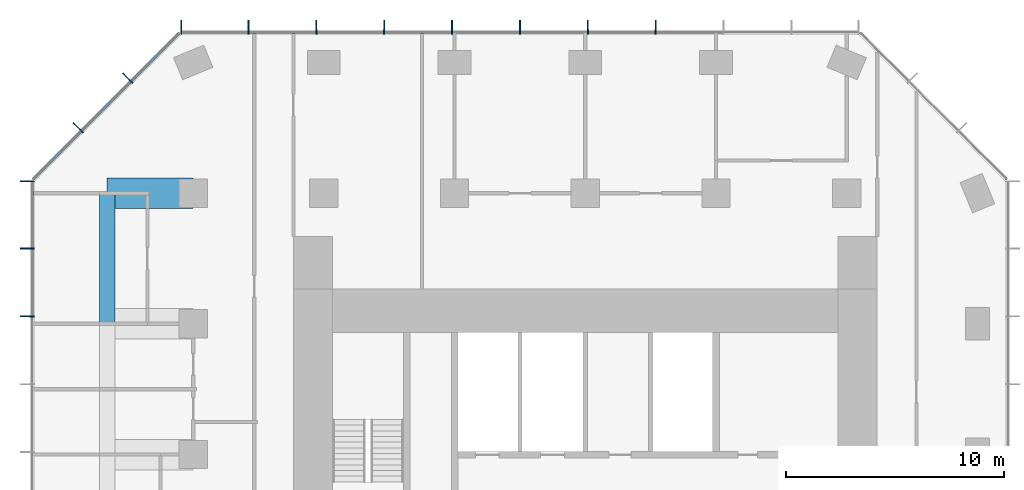
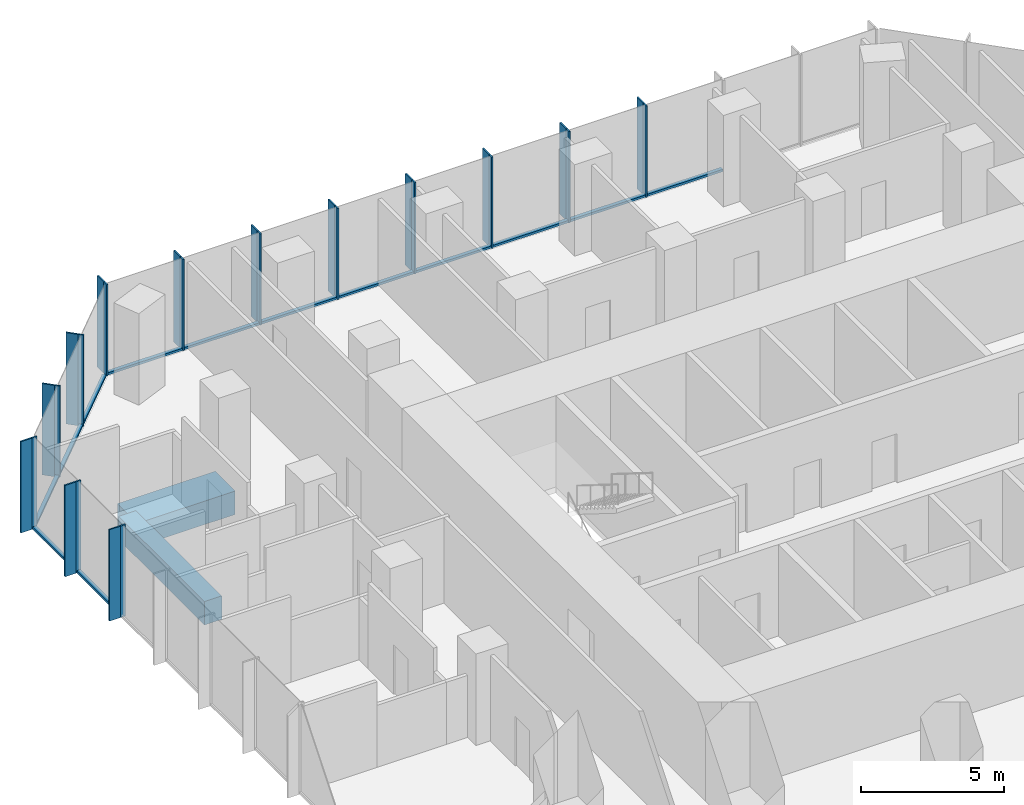
# One storey, part 5 of 11: 39 members, 2 beams, 3 elements without a shape of their own.
"""IFC4 building model written with IfcOpenShell, lengths in metres."""

from ifc_helpers import new_model, si_unit, direction, frame, origin, origin_2d, place, context, subcontext, project, spatial, rectangle, extrude, material, layer, layer_set, material_profile, profile_set, type_object, element, aggregate, save


model = new_model("IFC4")

# Units and contexts
model_context = context("Model", 3, precision=1e-05, world=origin(), true_north=direction((0.0, 1.0)))
body_context = subcontext(model_context, "Body", "Model", "MODEL_VIEW")
ifc_project = project(units=[si_unit("LENGTHUNIT", "METRE"), si_unit("AREAUNIT", "SQUARE_METRE"), si_unit("VOLUMEUNIT", "CUBIC_METRE"), si_unit("PLANEANGLEUNIT", "RADIAN"), si_unit("MASSUNIT", "GRAM", prefix="KILO")], contexts=[model_context])

# Site, building, storey
site_placement = place(None, origin())
site = spatial("IfcSite", under=ifc_project, at=site_placement, CompositionType="ELEMENT")
building_placement = place(site_placement, origin())
building = spatial("IfcBuilding", under=site, at=building_placement, Name="Highveld Stack Headquarters", CompositionType="ELEMENT")
storey_placement = place(building_placement, frame((0.0, 0.0, 220.10009765625)))
storey = spatial("IfcBuildingStorey", under=building, at=storey_placement, Name="L54", CompositionType="ELEMENT", Elevation=220.10009765625)

# Beam
ifc_material_1 = material(Name="Concrete C60/75", Category="concrete")
ifc_material_profile_1 = material_profile(ifc_material_1, rectangle(XDim=1.39990234375, YDim=1.0, at=origin_2d()), Name="RC 1400x1000")
ifc_profile_set_1 = profile_set([ifc_material_profile_1], Name="Concrete C60/75")
beam_type_1 = type_object("IfcBeamType", Name="CANTILEVER RIB RC 1400x1000", PredefinedType="USERDEFINED", material=ifc_profile_set_1)
beam_1_placement = place(storey_placement, frame((-12.0, 18.0, -0.75), z_axis=(-1.0, 0.0, 0.0), x_axis=(0.0, -1.0, 0.0)))
element("IfcBeam", 1, at=beam_1_placement, inside=storey, type_object=beam_type_1, Name="Cantilever rib 4/H L54", ObjectType="CANTILEVER RIB", PredefinedType="USERDEFINED", context=body_context, shape_type="SweptSolid", body=[
    extrude(rectangle(XDim=1.39990234375, YDim=1.0, at=origin_2d()), origin(), (0.0, 0.0, 1.0), 3.949951171875),
])

# Curtain wall, members
ifc_material_2 = material(Name="Aluminium bronze anodised", Category="aluminium")
ifc_layer_1 = layer(ifc_material_2, 0.199951171875)
ifc_layer_set_1 = layer_set([ifc_layer_1], Name="Aluminium bronze anodised")
curtain_wall_type_1 = type_object("IfcCurtainWallType", Name="CW1 TOWER UNITISED CURTAIN WALL", PredefinedType="NOTDEFINED", material=ifc_layer_set_1)
curtain_wall_1_placement = place(storey_placement, origin())
curtain_wall_1 = element("IfcCurtainWall", 2, at=curtain_wall_1_placement, inside=storey, type_object=curtain_wall_type_1, Name="Curtain wall CW1 L54 N", PredefinedType="NOTDEFINED")
ifc_material_3 = material(Name="Aluminium bronze anodised", Category="aluminium")
ifc_material_profile_2 = material_profile(ifc_material_3, rectangle(XDim=0.449951171875, YDim=0.06005859375, at=origin_2d()), Name="FIN 450x60")
ifc_profile_set_2 = profile_set([ifc_material_profile_2], Name="Aluminium bronze anodised")
member_type_1 = type_object("IfcMemberType", Name="CW1 BRONZE FIN 450x60", PredefinedType="USERDEFINED", material=ifc_profile_set_2)
member_1_placement = place(storey_placement, frame((9.23193359375, 25.72509765625, 0.0), z_axis=(0.0, 0.0, 1.0), x_axis=(0.0, -1.0, 0.0)))
member_1 = element("IfcMember", 3, at=member_1_placement, type_object=member_type_1, Name="CW1 fin L54 4", ObjectType="FIN", PredefinedType="USERDEFINED", context=body_context, shape_type="SweptSolid", body=[
    extrude(rectangle(XDim=0.449951171875, YDim=0.06005859375, at=origin_2d()), origin(), (0.0, 0.0, 1.0), 3.89990234375),
])
member_2_placement = place(storey_placement, frame((6.115966796875, 25.72509765625, 0.0), z_axis=(0.0, 0.0, 1.0), x_axis=(0.0, -1.0, 0.0)))
member_2 = element("IfcMember", 4, at=member_2_placement, type_object=member_type_1, Name="CW1 fin L54 5", ObjectType="FIN", PredefinedType="USERDEFINED", context=body_context, shape_type="SweptSolid", body=[
    extrude(rectangle(XDim=0.449951171875, YDim=0.06005859375, at=origin_2d()), origin(), (0.0, 0.0, 1.0), 3.89990234375),
])
member_3_placement = place(storey_placement, frame((3.0, 25.72509765625, 0.0), z_axis=(0.0, 0.0, 1.0), x_axis=(0.0, -1.0, 0.0)))
member_3 = element("IfcMember", 5, at=member_3_placement, type_object=member_type_1, Name="CW1 fin L54 6", ObjectType="FIN", PredefinedType="USERDEFINED", context=body_context, shape_type="SweptSolid", body=[
    extrude(rectangle(XDim=0.449951171875, YDim=0.06005859375, at=origin_2d()), origin(), (0.0, 0.0, 1.0), 3.89990234375),
])
member_4_placement = place(storey_placement, frame((-0.115966796875, 25.72509765625, 0.0), z_axis=(0.0, 0.0, 1.0), x_axis=(0.0, -1.0, 0.0)))
member_4 = element("IfcMember", 6, at=member_4_placement, type_object=member_type_1, Name="CW1 fin L54 7", ObjectType="FIN", PredefinedType="USERDEFINED", context=body_context, shape_type="SweptSolid", body=[
    extrude(rectangle(XDim=0.449951171875, YDim=0.06005859375, at=origin_2d()), origin(), (0.0, 0.0, 1.0), 3.89990234375),
])
member_5_placement = place(storey_placement, frame((-3.23193359375, 25.72509765625, 0.0), z_axis=(0.0, 0.0, 1.0), x_axis=(0.0, -1.0, 0.0)))
member_5 = element("IfcMember", 7, at=member_5_placement, type_object=member_type_1, Name="CW1 fin L54 8", ObjectType="FIN", PredefinedType="USERDEFINED", context=body_context, shape_type="SweptSolid", body=[
    extrude(rectangle(XDim=0.449951171875, YDim=0.06005859375, at=origin_2d()), origin(), (0.0, 0.0, 1.0), 3.89990234375),
])
member_6_placement = place(storey_placement, frame((-6.347900390625, 25.72509765625, 0.0), z_axis=(0.0, 0.0, 1.0), x_axis=(0.0, -1.0, 0.0)))
member_6 = element("IfcMember", 8, at=member_6_placement, type_object=member_type_1, Name="CW1 fin L54 9", ObjectType="FIN", PredefinedType="USERDEFINED", context=body_context, shape_type="SweptSolid", body=[
    extrude(rectangle(XDim=0.449951171875, YDim=0.06005859375, at=origin_2d()), origin(), (0.0, 0.0, 1.0), 3.89990234375),
])
member_7_placement = place(storey_placement, frame((-9.4638671875, 25.72509765625, 0.0), z_axis=(0.0, 0.0, 1.0), x_axis=(0.0, -1.0, 0.0)))
member_7 = element("IfcMember", 9, at=member_7_placement, type_object=member_type_1, Name="CW1 fin L54 10", ObjectType="FIN", PredefinedType="USERDEFINED", context=body_context, shape_type="SweptSolid", body=[
    extrude(rectangle(XDim=0.449951171875, YDim=0.06005859375, at=origin_2d()), origin(), (0.0, 0.0, 1.0), 3.89990234375),
])
member_8_placement = place(storey_placement, frame((-12.54736328125, 25.72509765625, 0.0), z_axis=(0.0, 0.0, 1.0), x_axis=(0.0, -1.0, 0.0)))
member_8 = element("IfcMember", 10, at=member_8_placement, type_object=member_type_1, Name="CW1 fin L54 11", ObjectType="FIN", PredefinedType="USERDEFINED", context=body_context, shape_type="SweptSolid", body=[
    extrude(rectangle(XDim=0.449951171875, YDim=0.06005859375, at=origin_2d()), origin(), (0.0, 0.0, 1.0), 3.89990234375),
])

curtain_wall_2_placement = place(storey_placement, origin())
curtain_wall_2 = element("IfcCurtainWall", 11, at=curtain_wall_2_placement, inside=storey, type_object=curtain_wall_type_1, Name="Curtain wall CW1 L54 W", PredefinedType="NOTDEFINED")
member_9_placement = place(storey_placement, frame((-19.72509765625, 18.54736328125, 0.0), z_axis=(0.0, 0.0, 1.0), x_axis=(1.0, 0.0, 0.0)))
member_9 = element("IfcMember", 12, at=member_9_placement, type_object=member_type_1, Name="CW1 fin L54 1", ObjectType="FIN", PredefinedType="USERDEFINED", context=body_context, shape_type="SweptSolid", body=[
    extrude(rectangle(XDim=0.449951171875, YDim=0.06005859375, at=origin_2d()), origin(), (0.0, 0.0, 1.0), 3.89990234375),
])
member_10_placement = place(storey_placement, frame((-19.72509765625, 15.4638671875, 0.0), z_axis=(0.0, 0.0, 1.0), x_axis=(1.0, 0.0, 0.0)))
member_10 = element("IfcMember", 13, at=member_10_placement, type_object=member_type_1, Name="CW1 fin L54 2", ObjectType="FIN", PredefinedType="USERDEFINED", context=body_context, shape_type="SweptSolid", body=[
    extrude(rectangle(XDim=0.449951171875, YDim=0.06005859375, at=origin_2d()), origin(), (0.0, 0.0, 1.0), 3.89990234375),
])
member_11_placement = place(storey_placement, frame((-19.72509765625, 12.347900390625, 0.0), z_axis=(0.0, 0.0, 1.0), x_axis=(1.0, 0.0, 0.0)))
member_11 = element("IfcMember", 14, at=member_11_placement, type_object=member_type_1, Name="CW1 fin L54 3", ObjectType="FIN", PredefinedType="USERDEFINED", context=body_context, shape_type="SweptSolid", body=[
    extrude(rectangle(XDim=0.449951171875, YDim=0.06005859375, at=origin_2d()), origin(), (0.0, 0.0, 1.0), 3.89990234375),
])

# Member
ifc_material_4 = material(Name="Aluminium bronze anodised", Category="aluminium")
ifc_material_profile_3 = material_profile(ifc_material_4, rectangle(XDim=0.199951171875, YDim=0.06494140625, at=origin_2d()), Name="CW1 MULLION 65x200")
ifc_profile_set_3 = profile_set([ifc_material_profile_3], Name="Aluminium bronze anodised")
member_type_2 = type_object("IfcMemberType", Name="CW1 MULLION 65x200", PredefinedType="MULLION", material=ifc_profile_set_3)
member_12_placement = place(storey_placement, frame((9.23193359375, 25.39990234375, 0.0), z_axis=(0.0, 0.0, 1.0), x_axis=(0.0, -1.0, 0.0)))
member_12 = element("IfcMember", 15, at=member_12_placement, type_object=member_type_2, Name="CW1 mullion L54 4", PredefinedType="MULLION", context=body_context, shape_type="SweptSolid", body=[
    extrude(rectangle(XDim=0.199951171875, YDim=0.06494140625, at=origin_2d()), origin(), (0.0, 0.0, 1.0), 3.89990234375),
])

member_13_placement = place(storey_placement, frame((6.115966796875, 25.39990234375, 0.0), z_axis=(0.0, 0.0, 1.0), x_axis=(0.0, -1.0, 0.0)))
member_13 = element("IfcMember", 16, at=member_13_placement, type_object=member_type_2, Name="CW1 mullion L54 5", PredefinedType="MULLION", context=body_context, shape_type="SweptSolid", body=[
    extrude(rectangle(XDim=0.199951171875, YDim=0.06494140625, at=origin_2d()), origin(), (0.0, 0.0, 1.0), 3.89990234375),
])

member_14_placement = place(storey_placement, frame((3.0, 25.39990234375, 0.0), z_axis=(0.0, 0.0, 1.0), x_axis=(0.0, -1.0, 0.0)))
member_14 = element("IfcMember", 17, at=member_14_placement, type_object=member_type_2, Name="CW1 mullion L54 6", PredefinedType="MULLION", context=body_context, shape_type="SweptSolid", body=[
    extrude(rectangle(XDim=0.199951171875, YDim=0.06494140625, at=origin_2d()), origin(), (0.0, 0.0, 1.0), 3.89990234375),
])

member_15_placement = place(storey_placement, frame((-0.115966796875, 25.39990234375, 0.0), z_axis=(0.0, 0.0, 1.0), x_axis=(0.0, -1.0, 0.0)))
member_15 = element("IfcMember", 18, at=member_15_placement, type_object=member_type_2, Name="CW1 mullion L54 7", PredefinedType="MULLION", context=body_context, shape_type="SweptSolid", body=[
    extrude(rectangle(XDim=0.199951171875, YDim=0.06494140625, at=origin_2d()), origin(), (0.0, 0.0, 1.0), 3.89990234375),
])

member_16_placement = place(storey_placement, frame((-3.23193359375, 25.39990234375, 0.0), z_axis=(0.0, 0.0, 1.0), x_axis=(0.0, -1.0, 0.0)))
member_16 = element("IfcMember", 19, at=member_16_placement, type_object=member_type_2, Name="CW1 mullion L54 8", PredefinedType="MULLION", context=body_context, shape_type="SweptSolid", body=[
    extrude(rectangle(XDim=0.199951171875, YDim=0.06494140625, at=origin_2d()), origin(), (0.0, 0.0, 1.0), 3.89990234375),
])

member_17_placement = place(storey_placement, frame((-6.347900390625, 25.39990234375, 0.0), z_axis=(0.0, 0.0, 1.0), x_axis=(0.0, -1.0, 0.0)))
member_17 = element("IfcMember", 20, at=member_17_placement, type_object=member_type_2, Name="CW1 mullion L54 9", PredefinedType="MULLION", context=body_context, shape_type="SweptSolid", body=[
    extrude(rectangle(XDim=0.199951171875, YDim=0.06494140625, at=origin_2d()), origin(), (0.0, 0.0, 1.0), 3.89990234375),
])

member_18_placement = place(storey_placement, frame((-9.4638671875, 25.39990234375, 0.0), z_axis=(0.0, 0.0, 1.0), x_axis=(0.0, -1.0, 0.0)))
member_18 = element("IfcMember", 21, at=member_18_placement, type_object=member_type_2, Name="CW1 mullion L54 10", PredefinedType="MULLION", context=body_context, shape_type="SweptSolid", body=[
    extrude(rectangle(XDim=0.199951171875, YDim=0.06494140625, at=origin_2d()), origin(), (0.0, 0.0, 1.0), 3.89990234375),
])

member_19_placement = place(storey_placement, frame((-12.54736328125, 25.39990234375, 0.0), z_axis=(0.0, 0.0, 1.0), x_axis=(0.0, -1.0, 0.0)))
member_19 = element("IfcMember", 22, at=member_19_placement, type_object=member_type_2, Name="CW1 mullion L54 11", PredefinedType="MULLION", context=body_context, shape_type="SweptSolid", body=[
    extrude(rectangle(XDim=0.199951171875, YDim=0.06494140625, at=origin_2d()), origin(), (0.0, 0.0, 1.0), 3.89990234375),
])

member_20_placement = place(storey_placement, frame((-19.39990234375, 18.54736328125, 0.0), z_axis=(0.0, 0.0, 1.0), x_axis=(1.0, 0.0, 0.0)))
member_20 = element("IfcMember", 23, at=member_20_placement, type_object=member_type_2, Name="CW1 mullion L54 1", PredefinedType="MULLION", context=body_context, shape_type="SweptSolid", body=[
    extrude(rectangle(XDim=0.199951171875, YDim=0.06494140625, at=origin_2d()), origin(), (0.0, 0.0, 1.0), 3.89990234375),
])

member_21_placement = place(storey_placement, frame((-19.39990234375, 15.4638671875, 0.0), z_axis=(0.0, 0.0, 1.0), x_axis=(1.0, 0.0, 0.0)))
member_21 = element("IfcMember", 24, at=member_21_placement, type_object=member_type_2, Name="CW1 mullion L54 2", PredefinedType="MULLION", context=body_context, shape_type="SweptSolid", body=[
    extrude(rectangle(XDim=0.199951171875, YDim=0.06494140625, at=origin_2d()), origin(), (0.0, 0.0, 1.0), 3.89990234375),
])

member_22_placement = place(storey_placement, frame((-19.39990234375, 12.347900390625, 0.0), z_axis=(0.0, 0.0, 1.0), x_axis=(1.0, 0.0, 0.0)))
member_22 = element("IfcMember", 25, at=member_22_placement, type_object=member_type_2, Name="CW1 mullion L54 3", PredefinedType="MULLION", context=body_context, shape_type="SweptSolid", body=[
    extrude(rectangle(XDim=0.199951171875, YDim=0.06494140625, at=origin_2d()), origin(), (0.0, 0.0, 1.0), 3.89990234375),
])

ifc_material_5 = material(Name="Aluminium bronze anodised", Category="aluminium")
ifc_material_profile_4 = material_profile(ifc_material_5, rectangle(XDim=0.14990234375, YDim=0.10009765625, at=origin_2d()), Name="CW1 TRANSOM 150x100")
ifc_profile_set_4 = profile_set([ifc_material_profile_4], Name="Aluminium bronze anodised")
member_type_3 = type_object("IfcMemberType", Name="CW1 STACK TRANSOM 150x100", PredefinedType="USERDEFINED", material=ifc_profile_set_4)
member_23_placement = place(storey_placement, frame((12.3154296875, 25.39990234375, 0.0498046875), z_axis=(-1.0, 0.0, 0.0), x_axis=(0.0, -1.0, 0.0)))
member_23 = element("IfcMember", 26, at=member_23_placement, type_object=member_type_3, Name="CW1 transom L54 3.1", ObjectType="TRANSOM", PredefinedType="USERDEFINED", context=body_context, shape_type="SweptSolid", body=[
    extrude(rectangle(XDim=0.14990234375, YDim=0.10009765625, at=origin_2d()), origin(), (0.0, 0.0, 1.0), 3.051025390625),
])

member_24_placement = place(storey_placement, frame((9.199462890625, 25.39990234375, 0.0498046875), z_axis=(-1.0, 0.0, 0.0), x_axis=(0.0, -1.0, 0.0)))
member_24 = element("IfcMember", 27, at=member_24_placement, type_object=member_type_3, Name="CW1 transom L54 4.1", ObjectType="TRANSOM", PredefinedType="USERDEFINED", context=body_context, shape_type="SweptSolid", body=[
    extrude(rectangle(XDim=0.14990234375, YDim=0.10009765625, at=origin_2d()), origin(), (0.0, 0.0, 1.0), 3.051025390625),
])

member_25_placement = place(storey_placement, frame((6.08349609375, 25.39990234375, 0.0498046875), z_axis=(-1.0, 0.0, 0.0), x_axis=(0.0, -1.0, 0.0)))
member_25 = element("IfcMember", 28, at=member_25_placement, type_object=member_type_3, Name="CW1 transom L54 5.1", ObjectType="TRANSOM", PredefinedType="USERDEFINED", context=body_context, shape_type="SweptSolid", body=[
    extrude(rectangle(XDim=0.14990234375, YDim=0.10009765625, at=origin_2d()), origin(), (0.0, 0.0, 1.0), 3.051025390625),
])

member_26_placement = place(storey_placement, frame((2.967529296875, 25.39990234375, 0.0498046875), z_axis=(-1.0, 0.0, 0.0), x_axis=(0.0, -1.0, 0.0)))
member_26 = element("IfcMember", 29, at=member_26_placement, type_object=member_type_3, Name="CW1 transom L54 6.1", ObjectType="TRANSOM", PredefinedType="USERDEFINED", context=body_context, shape_type="SweptSolid", body=[
    extrude(rectangle(XDim=0.14990234375, YDim=0.10009765625, at=origin_2d()), origin(), (0.0, 0.0, 1.0), 3.051025390625),
])

member_27_placement = place(storey_placement, frame((-0.1484375, 25.39990234375, 0.0498046875), z_axis=(-1.0, 0.0, 0.0), x_axis=(0.0, -1.0, 0.0)))
member_27 = element("IfcMember", 30, at=member_27_placement, type_object=member_type_3, Name="CW1 transom L54 7.1", ObjectType="TRANSOM", PredefinedType="USERDEFINED", context=body_context, shape_type="SweptSolid", body=[
    extrude(rectangle(XDim=0.14990234375, YDim=0.10009765625, at=origin_2d()), origin(), (0.0, 0.0, 1.0), 3.051025390625),
])

member_28_placement = place(storey_placement, frame((-3.264404296875, 25.39990234375, 0.0498046875), z_axis=(-1.0, 0.0, 0.0), x_axis=(0.0, -1.0, 0.0)))
member_28 = element("IfcMember", 31, at=member_28_placement, type_object=member_type_3, Name="CW1 transom L54 8.1", ObjectType="TRANSOM", PredefinedType="USERDEFINED", context=body_context, shape_type="SweptSolid", body=[
    extrude(rectangle(XDim=0.14990234375, YDim=0.10009765625, at=origin_2d()), origin(), (0.0, 0.0, 1.0), 3.051025390625),
])

member_29_placement = place(storey_placement, frame((-6.38037109375, 25.39990234375, 0.0498046875), z_axis=(-1.0, 0.0, 0.0), x_axis=(0.0, -1.0, 0.0)))
member_29 = element("IfcMember", 32, at=member_29_placement, type_object=member_type_3, Name="CW1 transom L54 9.1", ObjectType="TRANSOM", PredefinedType="USERDEFINED", context=body_context, shape_type="SweptSolid", body=[
    extrude(rectangle(XDim=0.14990234375, YDim=0.10009765625, at=origin_2d()), origin(), (0.0, 0.0, 1.0), 3.051025390625),
])

member_30_placement = place(storey_placement, frame((-9.496337890625, 25.39990234375, 0.0498046875), z_axis=(-1.0, 0.0, 0.0), x_axis=(0.0, -1.0, 0.0)))
member_30 = element("IfcMember", 33, at=member_30_placement, type_object=member_type_3, Name="CW1 transom L54 10.1", ObjectType="TRANSOM", PredefinedType="USERDEFINED", context=body_context, shape_type="SweptSolid", body=[
    extrude(rectangle(XDim=0.14990234375, YDim=0.10009765625, at=origin_2d()), origin(), (0.0, 0.0, 1.0), 3.0185546875),
])

aggregate(curtain_wall_1, [member_12, member_1, member_13, member_2, member_14, member_3, member_15, member_4, member_16, member_5, member_17, member_6, member_18, member_7, member_19, member_8, member_23, member_24, member_25, member_26, member_27, member_28, member_29, member_30])

member_31_placement = place(storey_placement, frame((-19.39990234375, 18.514892578125, 0.0498046875), z_axis=(0.0, -1.0, 0.0), x_axis=(1.0, 0.0, 0.0)))
member_31 = element("IfcMember", 34, at=member_31_placement, type_object=member_type_3, Name="CW1 transom L54 1.1", ObjectType="TRANSOM", PredefinedType="USERDEFINED", context=body_context, shape_type="SweptSolid", body=[
    extrude(rectangle(XDim=0.14990234375, YDim=0.10009765625, at=origin_2d()), origin(), (0.0, 0.0, 1.0), 3.0185546875),
])

member_32_placement = place(storey_placement, frame((-19.39990234375, 15.431396484375, 0.0498046875), z_axis=(0.0, -1.0, 0.0), x_axis=(1.0, 0.0, 0.0)))
member_32 = element("IfcMember", 35, at=member_32_placement, type_object=member_type_3, Name="CW1 transom L54 2.1", ObjectType="TRANSOM", PredefinedType="USERDEFINED", context=body_context, shape_type="SweptSolid", body=[
    extrude(rectangle(XDim=0.14990234375, YDim=0.10009765625, at=origin_2d()), origin(), (0.0, 0.0, 1.0), 3.051025390625),
])

aggregate(curtain_wall_2, [member_20, member_9, member_21, member_10, member_22, member_11, member_31, member_32])

# Curtain wall, members
ifc_material_6 = material(Name="Aluminium bronze anodised", Category="aluminium")
ifc_layer_2 = layer(ifc_material_6, 0.199951171875)
ifc_layer_set_2 = layer_set([ifc_layer_2], Name="Aluminium bronze anodised")
curtain_wall_type_2 = type_object("IfcCurtainWallType", Name="CW2 TOWER CHAMFER UNITISED CURTAIN WALL", PredefinedType="NOTDEFINED", material=ifc_layer_set_2)
curtain_wall_3_placement = place(storey_placement, origin())
curtain_wall_3 = element("IfcCurtainWall", 36, at=curtain_wall_3_placement, inside=storey, type_object=curtain_wall_type_2, Name="Curtain wall CW2 L54 NW", PredefinedType="NOTDEFINED")
ifc_material_7 = material(Name="Aluminium bronze anodised", Category="aluminium")
ifc_material_profile_5 = material_profile(ifc_material_7, rectangle(XDim=0.449951171875, YDim=0.06005859375, at=origin_2d()), Name="FIN 450x60")
ifc_profile_set_5 = profile_set([ifc_material_profile_5], Name="Aluminium bronze anodised")
member_type_4 = type_object("IfcMemberType", Name="CW2 BRONZE FIN 450x60", PredefinedType="USERDEFINED", material=ifc_profile_set_5)
member_33_placement = place(storey_placement, frame((-15.0830078125, 23.3564453125, 0.0), z_axis=(0.0, 0.0, 1.0), x_axis=(0.707106781187, -0.707106781187, 0.0)))
member_33 = element("IfcMember", 37, at=member_33_placement, type_object=member_type_4, Name="CW2 fin L54 1", ObjectType="FIN", PredefinedType="USERDEFINED", context=body_context, shape_type="SweptSolid", body=[
    extrude(rectangle(XDim=0.449951171875, YDim=0.06005859375, at=origin_2d()), origin(), (0.0, 0.0, 1.0), 3.89990234375),
])
member_34_placement = place(storey_placement, frame((-17.3564453125, 21.0830078125, 0.0), z_axis=(0.0, 0.0, 1.0), x_axis=(0.707106781187, -0.707106781187, 0.0)))
member_34 = element("IfcMember", 38, at=member_34_placement, type_object=member_type_4, Name="CW2 fin L54 2", ObjectType="FIN", PredefinedType="USERDEFINED", context=body_context, shape_type="SweptSolid", body=[
    extrude(rectangle(XDim=0.449951171875, YDim=0.06005859375, at=origin_2d()), origin(), (0.0, 0.0, 1.0), 3.89990234375),
])
ifc_material_8 = material(Name="Aluminium bronze anodised", Category="aluminium")
ifc_material_profile_6 = material_profile(ifc_material_8, rectangle(XDim=0.199951171875, YDim=0.06494140625, at=origin_2d()), Name="CW2 MULLION 65x200")
ifc_profile_set_6 = profile_set([ifc_material_profile_6], Name="Aluminium bronze anodised")
member_type_5 = type_object("IfcMemberType", Name="CW2 MULLION 65x200", PredefinedType="MULLION", material=ifc_profile_set_6)
member_35_placement = place(storey_placement, frame((-14.853271484375, 23.126708984375, 0.0), z_axis=(0.0, 0.0, 1.0), x_axis=(0.707106781187, -0.707106781187, 0.0)))
member_35 = element("IfcMember", 39, at=member_35_placement, type_object=member_type_5, Name="CW2 mullion L54 1", PredefinedType="MULLION", context=body_context, shape_type="SweptSolid", body=[
    extrude(rectangle(XDim=0.199951171875, YDim=0.06494140625, at=origin_2d()), origin(), (0.0, 0.0, 1.0), 3.89990234375),
])
member_36_placement = place(storey_placement, frame((-17.126708984375, 20.853271484375, 0.0), z_axis=(0.0, 0.0, 1.0), x_axis=(0.707106781187, -0.707106781187, 0.0)))
member_36 = element("IfcMember", 40, at=member_36_placement, type_object=member_type_5, Name="CW2 mullion L54 2", PredefinedType="MULLION", context=body_context, shape_type="SweptSolid", body=[
    extrude(rectangle(XDim=0.199951171875, YDim=0.06494140625, at=origin_2d()), origin(), (0.0, 0.0, 1.0), 3.89990234375),
])
ifc_material_9 = material(Name="Aluminium bronze anodised", Category="aluminium")
ifc_material_profile_7 = material_profile(ifc_material_9, rectangle(XDim=0.14990234375, YDim=0.10009765625, at=origin_2d()), Name="CW2 TRANSOM 150x100")
ifc_profile_set_7 = profile_set([ifc_material_profile_7], Name="Aluminium bronze anodised")
member_type_6 = type_object("IfcMemberType", Name="CW2 STACK TRANSOM 150x100", PredefinedType="USERDEFINED", material=ifc_profile_set_7)
member_37_placement = place(storey_placement, frame((-12.650634765625, 25.329345703125, 0.0498046875), z_axis=(-0.707106781187, -0.707106781187, 0.0), x_axis=(0.707106781187, -0.707106781187, 0.0)))
member_37 = element("IfcMember", 41, at=member_37_placement, type_object=member_type_6, Name="CW2 transom L54 1.1", ObjectType="TRANSOM", PredefinedType="USERDEFINED", context=body_context, shape_type="SweptSolid", body=[
    extrude(rectangle(XDim=0.14990234375, YDim=0.10009765625, at=origin_2d()), origin(), (0.0, 0.0, 1.0), 3.08251953125),
])
member_38_placement = place(storey_placement, frame((-14.876220703125, 23.103759765625, 0.0498046875), z_axis=(-0.707106781187, -0.707106781187, 0.0), x_axis=(0.707106781187, -0.707106781187, 0.0)))
member_38 = element("IfcMember", 42, at=member_38_placement, type_object=member_type_6, Name="CW2 transom L54 2.1", ObjectType="TRANSOM", PredefinedType="USERDEFINED", context=body_context, shape_type="SweptSolid", body=[
    extrude(rectangle(XDim=0.14990234375, YDim=0.10009765625, at=origin_2d()), origin(), (0.0, 0.0, 1.0), 3.150146484375),
])
member_39_placement = place(storey_placement, frame((-17.149658203125, 20.830322265625, 0.0498046875), z_axis=(-0.707106781187, -0.707106781187, 0.0), x_axis=(0.707106781187, -0.707106781187, 0.0)))
member_39 = element("IfcMember", 43, at=member_39_placement, type_object=member_type_6, Name="CW2 transom L54 3.1", ObjectType="TRANSOM", PredefinedType="USERDEFINED", context=body_context, shape_type="SweptSolid", body=[
    extrude(rectangle(XDim=0.14990234375, YDim=0.10009765625, at=origin_2d()), origin(), (0.0, 0.0, 1.0), 3.08251953125),
])
aggregate(curtain_wall_3, [member_35, member_33, member_36, member_34, member_37, member_38, member_39])

# Beam
ifc_material_10 = material(Name="Concrete C60/75", Category="concrete")
ifc_material_profile_8 = material_profile(ifc_material_10, rectangle(XDim=0.699951171875, YDim=1.0, at=origin_2d()), Name="RC 700x1000")
ifc_profile_set_8 = profile_set([ifc_material_profile_8], Name="Concrete C60/75")
beam_type_2 = type_object("IfcBeamType", Name="RIB TIP BEAM RC 700x1000", PredefinedType="SPANDREL", material=ifc_profile_set_8)
beam_2_placement = place(storey_placement, frame((-15.949951171875, 12.0, -0.75), z_axis=(0.0, 1.0, 0.0), x_axis=(-1.0, 0.0, 0.0)))
element("IfcBeam", 44, at=beam_2_placement, inside=storey, type_object=beam_type_2, Name="Rib tip beam 4/G to 4/H L54", PredefinedType="SPANDREL", context=body_context, shape_type="SweptSolid", body=[
    extrude(rectangle(XDim=0.699951171875, YDim=1.0, at=origin_2d()), origin(), (0.0, 0.0, 1.0), 6.0),
])

save(model, "model.ifc")
